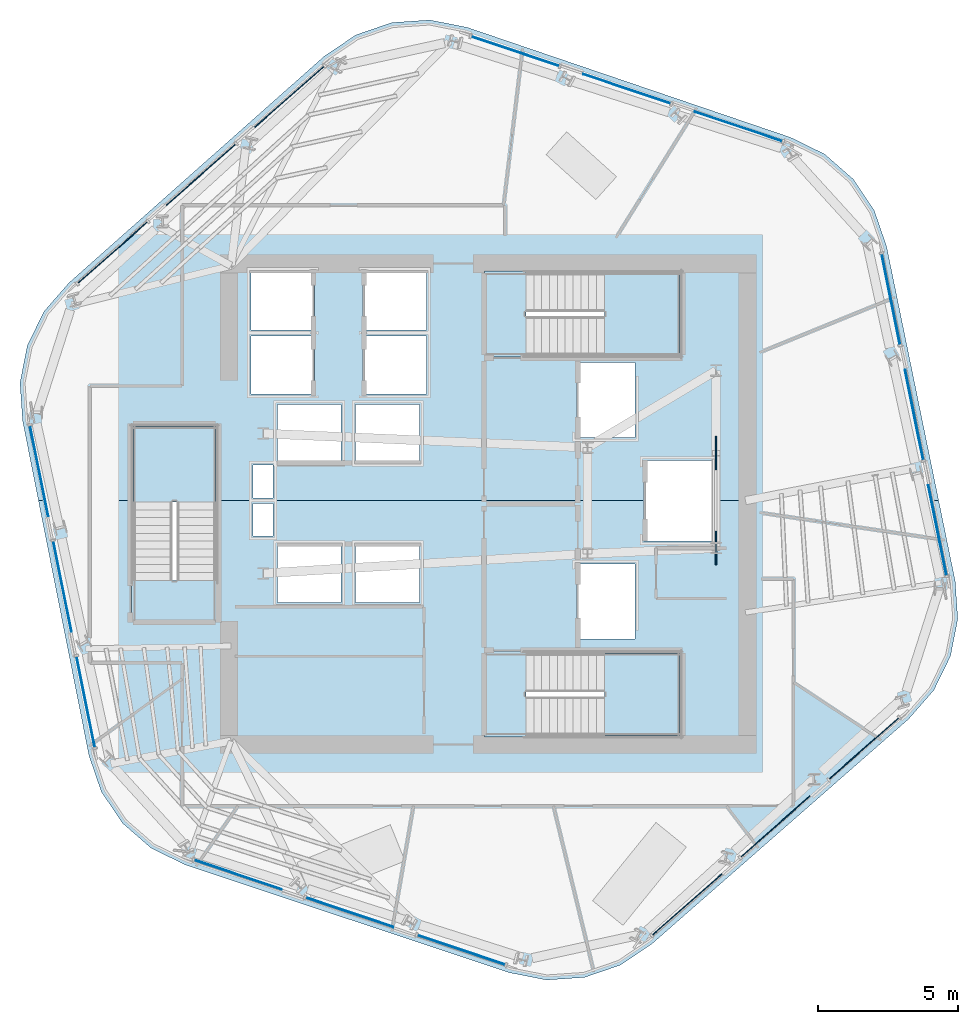
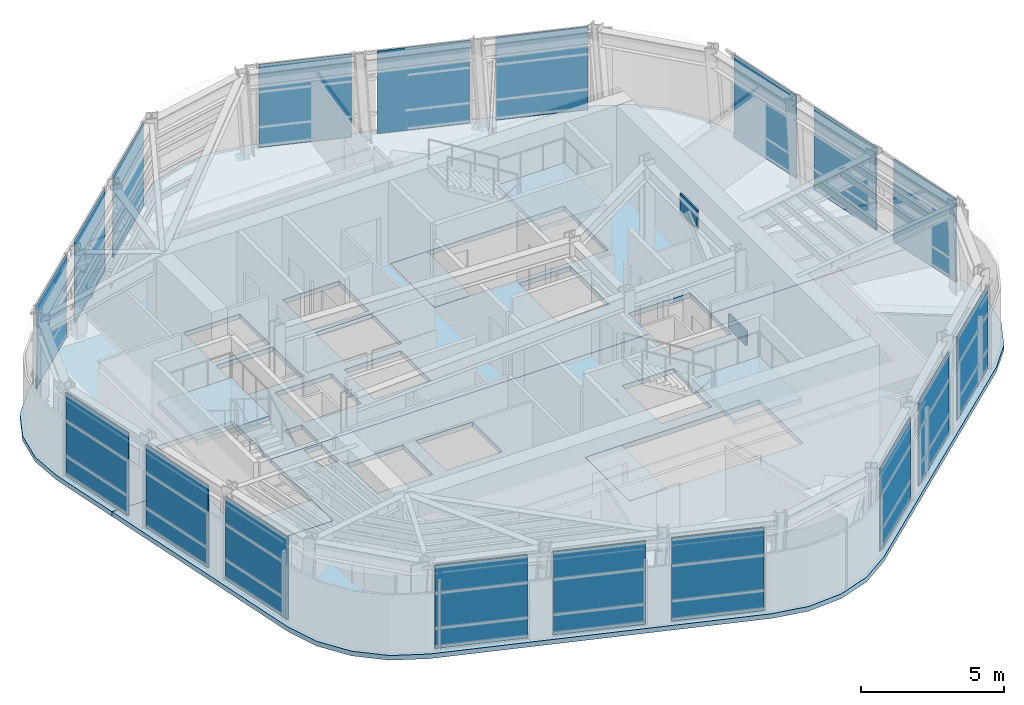
# One storey, part 6 of 15: 20 plates, 8 slabs, 9 elements without a shape of their own.
"""IFC4 building model written with IfcOpenShell, lengths in metres."""

from ifc_helpers import new_model, si_unit, direction, frame, origin, origin_2d, place, context, subcontext, project, spatial, polyline, rectangle, outline, extrude, material, layer, layer_set, type_object, element, aggregate, save


model = new_model("IFC4")

# Units and contexts
model_context = context("Model", 3, precision=1e-05, world=origin(), true_north=direction((0.0, 1.0)))
body_context = subcontext(model_context, "Body", "Model", "MODEL_VIEW")
ifc_project = project(units=[si_unit("LENGTHUNIT", "METRE"), si_unit("AREAUNIT", "SQUARE_METRE"), si_unit("VOLUMEUNIT", "CUBIC_METRE"), si_unit("PLANEANGLEUNIT", "RADIAN"), si_unit("MASSUNIT", "GRAM", prefix="KILO")], contexts=[model_context])

# Site, building, storey
site_placement = place(None, origin())
site = spatial("IfcSite", under=ifc_project, at=site_placement, CompositionType="ELEMENT")
building_placement = place(site_placement, origin())
building = spatial("IfcBuilding", under=site, at=building_placement, Name="Valkerne Bourse Tower", CompositionType="ELEMENT")
storey_placement = place(building_placement, frame((0.0, 0.0, 201.800048828125)))
storey = spatial("IfcBuildingStorey", under=building, at=storey_placement, Name="L51", CompositionType="ELEMENT", Elevation=201.800048828125)

# Curtain wall, plates
ifc_material_1 = material(Name="Aluminium AA 6063-T6", Category="aluminium")
ifc_layer_1 = layer(ifc_material_1, 0.239990234375)
ifc_layer_set_1 = layer_set([ifc_layer_1], Name="Aluminium AA 6063-T6")
curtain_wall_type = type_object("IfcCurtainWallType", Name="CW-04", PredefinedType="NOTDEFINED", material=ifc_layer_set_1)
curtain_wall_1_placement = place(storey_placement, origin())
curtain_wall_1 = element("IfcCurtainWall", 1, at=curtain_wall_1_placement, inside=storey, type_object=curtain_wall_type, Name="L51 Hexagonal Stick Curtain Wall Face 1", PredefinedType="NOTDEFINED")
ifc_material_2 = material(Name="Glass IGU Low-E Double Glazed", Category="glass")
ifc_layer_2 = layer(ifc_material_2, 0.031982421875)
ifc_layer_set_2 = layer_set([ifc_layer_2], Name="Glass IGU Low-E Double Glazed")
plate_type_1 = type_object("IfcPlateType", Name="CW-PNL-IGU-32", PredefinedType="CURTAIN_PANEL", material=ifc_layer_set_2)
plate_1_placement = place(storey_placement, frame((55.748291015625, 40.3837890625, 0.030029296875), z_axis=(0.0, 0.0, 1.0), x_axis=(-0.947765282769, 0.318968601555, 0.0)))
plate_1 = element("IfcPlate", 2, at=plate_1_placement, type_object=plate_type_1, Name="CW-L51-F1 Curtain Panel 00", PredefinedType="CURTAIN_PANEL", context=body_context, shape_type="SweptSolid", body=[
    extrude(rectangle(XDim=3.2919921875, YDim=0.031982421875, at=origin_2d()), origin(), (0.0, 0.0, 1.0), 3.5400390625),
])
plate_2_placement = place(storey_placement, frame((51.756103515625, 41.72705078125, 0.030029296875), z_axis=(0.0, 0.0, 1.0), x_axis=(-0.947772459851, 0.318947275184, 0.0)))
plate_2 = element("IfcPlate", 3, at=plate_2_placement, type_object=plate_type_1, Name="CW-L51-F1 Curtain Panel 01", PredefinedType="CURTAIN_PANEL", context=body_context, shape_type="SweptSolid", body=[
    extrude(rectangle(XDim=3.2919921875, YDim=0.031982421875, at=origin_2d()), origin(), (0.0, 0.0, 1.0), 3.5400390625),
])
plate_3_placement = place(storey_placement, frame((47.764404296875, 43.070556640625, 0.030029296875), z_axis=(0.0, 0.0, 1.0), x_axis=(-0.947765282769, 0.318968601555, 0.0)))
plate_3 = element("IfcPlate", 4, at=plate_3_placement, type_object=plate_type_1, Name="CW-L51-F1 Curtain Panel 02", PredefinedType="CURTAIN_PANEL", context=body_context, shape_type="SweptSolid", body=[
    extrude(rectangle(XDim=3.2919921875, YDim=0.031982421875, at=origin_2d()), origin(), (0.0, 0.0, 1.0), 3.5400390625),
])
aggregate(curtain_wall_1, [plate_1, plate_2, plate_3])

curtain_wall_2_placement = place(storey_placement, origin())
curtain_wall_2 = element("IfcCurtainWall", 5, at=curtain_wall_2_placement, inside=storey, type_object=curtain_wall_type, Name="L51 Hexagonal Stick Curtain Wall Face 2", PredefinedType="NOTDEFINED")
plate_4_placement = place(storey_placement, frame((39.68359375, 41.441162109375, 0.030029296875), z_axis=(0.0, 0.0, 1.0), x_axis=(-0.750119777976, -0.661301987513, 0.0)))
plate_4 = element("IfcPlate", 6, at=plate_4_placement, type_object=plate_type_1, Name="CW-L51-F2 Curtain Panel 00", PredefinedType="CURTAIN_PANEL", context=body_context, shape_type="SweptSolid", body=[
    extrude(rectangle(XDim=3.2919921875, YDim=0.031982421875, at=origin_2d()), origin(), (0.0, 0.0, 1.0), 3.5400390625),
])
plate_5_placement = place(storey_placement, frame((36.524169921875, 38.65576171875, 0.030029296875), z_axis=(0.0, 0.0, 1.0), x_axis=(-0.750097617551, -0.6613271234, 0.0)))
plate_5 = element("IfcPlate", 7, at=plate_5_placement, type_object=plate_type_1, Name="CW-L51-F2 Curtain Panel 01", PredefinedType="CURTAIN_PANEL", context=body_context, shape_type="SweptSolid", body=[
    extrude(rectangle(XDim=3.2919921875, YDim=0.031982421875, at=origin_2d()), origin(), (0.0, 0.0, 1.0), 3.5400390625),
])
plate_6_placement = place(storey_placement, frame((33.364501953125, 35.870361328125, 0.030029296875), z_axis=(0.0, 0.0, 1.0), x_axis=(-0.750119777976, -0.661301987513, 0.0)))
plate_6 = element("IfcPlate", 8, at=plate_6_placement, type_object=plate_type_1, Name="CW-L51-F2 Curtain Panel 02", PredefinedType="CURTAIN_PANEL", context=body_context, shape_type="SweptSolid", body=[
    extrude(rectangle(XDim=3.2919921875, YDim=0.031982421875, at=origin_2d()), origin(), (0.0, 0.0, 1.0), 3.5400390625),
])
aggregate(curtain_wall_2, [plate_4, plate_5, plate_6])

curtain_wall_3_placement = place(storey_placement, origin())
curtain_wall_3 = element("IfcCurtainWall", 9, at=curtain_wall_3_placement, inside=storey, type_object=curtain_wall_type, Name="L51 Hexagonal Stick Curtain Wall Face 3", PredefinedType="NOTDEFINED")
plate_7_placement = place(storey_placement, frame((30.7353515625, 28.0576171875, 0.030029296875), z_axis=(0.0, 0.0, 1.0), x_axis=(0.197649976729, -0.980272659365, 0.0)))
plate_7 = element("IfcPlate", 10, at=plate_7_placement, type_object=plate_type_1, Name="CW-L51-F3 Curtain Panel 00", PredefinedType="CURTAIN_PANEL", context=body_context, shape_type="SweptSolid", body=[
    extrude(rectangle(XDim=3.2919921875, YDim=0.031982421875, at=origin_2d()), origin(), (0.0, 0.0, 1.0), 3.5400390625),
])
plate_8_placement = place(storey_placement, frame((31.56787109375, 23.9287109375, 0.030029296875), z_axis=(0.0, 0.0, 1.0), x_axis=(0.197672790823, -0.980268059139, 0.0)))
plate_8 = element("IfcPlate", 11, at=plate_8_placement, type_object=plate_type_1, Name="CW-L51-F3 Curtain Panel 01", PredefinedType="CURTAIN_PANEL", context=body_context, shape_type="SweptSolid", body=[
    extrude(rectangle(XDim=3.2919921875, YDim=0.031982421875, at=origin_2d()), origin(), (0.0, 0.0, 1.0), 3.5400390625),
])
plate_9_placement = place(storey_placement, frame((32.400390625, 19.7998046875, 0.030029296875), z_axis=(0.0, 0.0, 1.0), x_axis=(0.197649976729, -0.980272659365, 0.0)))
plate_9 = element("IfcPlate", 12, at=plate_9_placement, type_object=plate_type_1, Name="CW-L51-F3 Curtain Panel 02", PredefinedType="CURTAIN_PANEL", context=body_context, shape_type="SweptSolid", body=[
    extrude(rectangle(XDim=3.2919921875, YDim=0.031982421875, at=origin_2d()), origin(), (0.0, 0.0, 1.0), 3.5400390625),
])
aggregate(curtain_wall_3, [plate_7, plate_8, plate_9])

curtain_wall_4_placement = place(storey_placement, origin())
curtain_wall_4 = element("IfcCurtainWall", 13, at=curtain_wall_4_placement, inside=storey, type_object=curtain_wall_type, Name="L51 Hexagonal Stick Curtain Wall Face 4", PredefinedType="NOTDEFINED")
plate_10_placement = place(storey_placement, frame((37.851806640625, 13.6162109375, 0.030029296875), z_axis=(0.0, 0.0, 1.0), x_axis=(0.947765282769, -0.318968601555, 0.0)))
plate_10 = element("IfcPlate", 14, at=plate_10_placement, type_object=plate_type_1, Name="CW-L51-F4 Curtain Panel 00", PredefinedType="CURTAIN_PANEL", context=body_context, shape_type="SweptSolid", body=[
    extrude(rectangle(XDim=3.2919921875, YDim=0.031982421875, at=origin_2d()), origin(), (0.0, 0.0, 1.0), 3.5400390625),
])
plate_11_placement = place(storey_placement, frame((41.84375, 12.27294921875, 0.030029296875), z_axis=(0.0, 0.0, 1.0), x_axis=(0.947772459851, -0.318947275184, 0.0)))
plate_11 = element("IfcPlate", 15, at=plate_11_placement, type_object=plate_type_1, Name="CW-L51-F4 Curtain Panel 01", PredefinedType="CURTAIN_PANEL", context=body_context, shape_type="SweptSolid", body=[
    extrude(rectangle(XDim=3.2919921875, YDim=0.031982421875, at=origin_2d()), origin(), (0.0, 0.0, 1.0), 3.5400390625),
])
plate_12_placement = place(storey_placement, frame((45.835693359375, 10.929443359375, 0.030029296875), z_axis=(0.0, 0.0, 1.0), x_axis=(0.947765282769, -0.318968601555, 0.0)))
plate_12 = element("IfcPlate", 16, at=plate_12_placement, type_object=plate_type_1, Name="CW-L51-F4 Curtain Panel 02", PredefinedType="CURTAIN_PANEL", context=body_context, shape_type="SweptSolid", body=[
    extrude(rectangle(XDim=3.2919921875, YDim=0.031982421875, at=origin_2d()), origin(), (0.0, 0.0, 1.0), 3.5400390625),
])
aggregate(curtain_wall_4, [plate_10, plate_11, plate_12])

curtain_wall_5_placement = place(storey_placement, origin())
curtain_wall_5 = element("IfcCurtainWall", 17, at=curtain_wall_5_placement, inside=storey, type_object=curtain_wall_type, Name="L51 Hexagonal Stick Curtain Wall Face 5", PredefinedType="NOTDEFINED")
plate_13_placement = place(storey_placement, frame((53.91650390625, 12.55859375, 0.030029296875), z_axis=(0.0, 0.0, 1.0), x_axis=(0.750119777976, 0.661301987513, 0.0)))
plate_13 = element("IfcPlate", 18, at=plate_13_placement, type_object=plate_type_1, Name="CW-L51-F5 Curtain Panel 00", PredefinedType="CURTAIN_PANEL", context=body_context, shape_type="SweptSolid", body=[
    extrude(rectangle(XDim=3.2919921875, YDim=0.031982421875, at=origin_2d()), origin(), (0.0, 0.0, 1.0), 3.5400390625),
])
plate_14_placement = place(storey_placement, frame((57.075927734375, 15.34423828125, 0.030029296875), z_axis=(0.0, 0.0, 1.0), x_axis=(0.750097617551, 0.6613271234, 0.0)))
plate_14 = element("IfcPlate", 19, at=plate_14_placement, type_object=plate_type_1, Name="CW-L51-F5 Curtain Panel 01", PredefinedType="CURTAIN_PANEL", context=body_context, shape_type="SweptSolid", body=[
    extrude(rectangle(XDim=3.2919921875, YDim=0.031982421875, at=origin_2d()), origin(), (0.0, 0.0, 1.0), 3.5400390625),
])
plate_15_placement = place(storey_placement, frame((60.2353515625, 18.129638671875, 0.030029296875), z_axis=(0.0, 0.0, 1.0), x_axis=(0.750119777976, 0.661301987513, 0.0)))
plate_15 = element("IfcPlate", 20, at=plate_15_placement, type_object=plate_type_1, Name="CW-L51-F5 Curtain Panel 02", PredefinedType="CURTAIN_PANEL", context=body_context, shape_type="SweptSolid", body=[
    extrude(rectangle(XDim=3.2919921875, YDim=0.031982421875, at=origin_2d()), origin(), (0.0, 0.0, 1.0), 3.5400390625),
])
aggregate(curtain_wall_5, [plate_13, plate_14, plate_15])

curtain_wall_6_placement = place(storey_placement, origin())
curtain_wall_6 = element("IfcCurtainWall", 21, at=curtain_wall_6_placement, inside=storey, type_object=curtain_wall_type, Name="L51 Hexagonal Stick Curtain Wall Face 6", PredefinedType="NOTDEFINED")
plate_16_placement = place(storey_placement, frame((62.86474609375, 25.9423828125, 0.030029296875), z_axis=(0.0, 0.0, 1.0), x_axis=(-0.197649976729, 0.980272659365, 0.0)))
plate_16 = element("IfcPlate", 22, at=plate_16_placement, type_object=plate_type_1, Name="CW-L51-F6 Curtain Panel 00", PredefinedType="CURTAIN_PANEL", context=body_context, shape_type="SweptSolid", body=[
    extrude(rectangle(XDim=3.2919921875, YDim=0.031982421875, at=origin_2d()), origin(), (0.0, 0.0, 1.0), 3.5400390625),
])
plate_17_placement = place(storey_placement, frame((62.0322265625, 30.0712890625, 0.030029296875), z_axis=(0.0, 0.0, 1.0), x_axis=(-0.197672790823, 0.980268059139, 0.0)))
plate_17 = element("IfcPlate", 23, at=plate_17_placement, type_object=plate_type_1, Name="CW-L51-F6 Curtain Panel 01", PredefinedType="CURTAIN_PANEL", context=body_context, shape_type="SweptSolid", body=[
    extrude(rectangle(XDim=3.2919921875, YDim=0.031982421875, at=origin_2d()), origin(), (0.0, 0.0, 1.0), 3.5400390625),
])
plate_18_placement = place(storey_placement, frame((61.19970703125, 34.2001953125, 0.030029296875), z_axis=(0.0, 0.0, 1.0), x_axis=(-0.197649976729, 0.980272659365, 0.0)))
plate_18 = element("IfcPlate", 24, at=plate_18_placement, type_object=plate_type_1, Name="CW-L51-F6 Curtain Panel 02", PredefinedType="CURTAIN_PANEL", context=body_context, shape_type="SweptSolid", body=[
    extrude(rectangle(XDim=3.2919921875, YDim=0.031982421875, at=origin_2d()), origin(), (0.0, 0.0, 1.0), 3.5400390625),
])
aggregate(curtain_wall_6, [plate_16, plate_17, plate_18])

# Plates
ifc_material_3 = material(Name="Steel ASTM A572 Grade 50", Category="steel")
ifc_layer_3 = layer(ifc_material_3, 0.06005859375)
ifc_layer_set_3 = layer_set([ifc_layer_3], Name="Steel ASTM A572 Grade 50")
plate_type_2 = type_object("IfcPlateType", Name="PLT-GUS-60", PredefinedType="SHEET", material=ifc_layer_set_3)
for number, where, z_axis, x_axis, name in (
    (25, (54.949951171875, 25.300048828125, -0.18017578125), (0.0, 0.0, 1.0), (0.0, 1.0, 0.0), "L51 Brace Node Gusset Plate PLT-GUS-END-L51-418"),
    (26, (54.949951171875, 28.699951171875, 2.89404296875), (0.0, 0.0, 1.0), (0.0, 1.0, 0.0), "L51 Brace Node Gusset Plate PLT-GUS-END-L51-419"),
):
    element("IfcPlate", number, at=place(storey_placement, frame(where, z_axis=z_axis, x_axis=x_axis)), inside=storey, type_object=plate_type_2, Name=name, PredefinedType="SHEET", context=body_context, shape_type="SweptSolid", body=[
        extrude(rectangle(XDim=1.199951171875, YDim=0.06005859375, at=origin_2d()), origin(), (0.0, 0.0, 1.0), 0.800048828125),
    ])

# Slabs
ifc_material_4 = material(Name="Concrete C40/50", Category="concrete")
ifc_layer_4 = layer(ifc_material_4, 0.25)
ifc_layer_set_4 = layer_set([ifc_layer_4], Name="Concrete C40/50")
slab_type_1 = type_object("IfcSlabType", Name="SLB-RMP-LND-250", PredefinedType="LANDING", material=ifc_layer_set_4)
slab_1_placement = place(storey_placement, frame((0.0, 0.0, -0.199951171875)))
element("IfcSlab", 27, at=slab_1_placement, inside=storey, type_object=slab_type_1, Name="L51 ST-1 Floor Landing Slab", PredefinedType="LANDING", context=body_context, shape_type="SweptSolid", body=[
    extrude(outline(polyline([(46.669921875, 18.5400390625), (48.14990234375, 18.5400390625), (48.14990234375, 21.610107421875), (46.669921875, 21.610107421875), (46.669921875, 18.5400390625)])), origin(), (0.0, 0.0, 1.0), 0.199951171875),
])
slab_2_placement = place(storey_placement, frame((0.0, 0.0, -0.199951171875)))
element("IfcSlab", 28, at=slab_2_placement, inside=storey, type_object=slab_type_1, Name="L51 ST-2 Floor Landing Slab", PredefinedType="LANDING", context=body_context, shape_type="SweptSolid", body=[
    extrude(outline(polyline([(46.669921875, 32.139892578125), (48.14990234375, 32.139892578125), (48.14990234375, 35.2099609375), (46.669921875, 35.2099609375), (46.669921875, 32.139892578125)])), origin(), (0.0, 0.0, 1.0), 0.199951171875),
])
slab_3_placement = place(storey_placement, frame((0.0, 0.0, -0.199951171875)))
element("IfcSlab", 29, at=slab_3_placement, inside=storey, type_object=slab_type_1, Name="L51 ST-3 Floor Landing Slab", PredefinedType="LANDING", context=body_context, shape_type="SweptSolid", body=[
    extrude(outline(polyline([(37.110107421875, 22.669921875), (37.110107421875, 24.14990234375), (34.0400390625, 24.14990234375), (34.0400390625, 22.669921875), (37.110107421875, 22.669921875)])), origin(), (0.0, 0.0, 1.0), 0.199951171875),
])

# Stair, slab
stair_type = type_object("IfcStairType", Name="ST-CORE-1400", PredefinedType="HALF_TURN_STAIR", material=ifc_material_4)
stair_1_placement = place(storey_placement, origin())
stair_1 = element("IfcStair", 30, at=stair_1_placement, inside=storey, type_object=stair_type, Name="L51 ST-1", PredefinedType="HALF_TURN_STAIR")
ifc_layer_5 = layer(ifc_material_4, 0.179931640625)
ifc_layer_set_5 = layer_set([ifc_layer_5], Name="Concrete C40/50")
slab_type_2 = type_object("IfcSlabType", Name="SLB-ST-LND-180", PredefinedType="LANDING", material=ifc_layer_set_5)
slab_4_placement = place(storey_placement, frame((0.0, 0.0, 1.699951171875)))
slab_4 = element("IfcSlab", 31, at=slab_4_placement, type_object=slab_type_2, Name="ST-1 landing 1", PredefinedType="LANDING", context=body_context, shape_type="SweptSolid", body=[
    extrude(outline(polyline([(50.949951171875, 18.60009765625), (53.64990234375, 18.60009765625), (53.64990234375, 21.550048828125), (50.949951171875, 21.550048828125), (50.949951171875, 18.60009765625)])), origin(), (0.0, 0.0, 1.0), 0.199951171875),
])
aggregate(stair_1, [slab_4])

stair_2_placement = place(storey_placement, origin())
stair_2 = element("IfcStair", 32, at=stair_2_placement, inside=storey, type_object=stair_type, Name="L51 ST-2", PredefinedType="HALF_TURN_STAIR")
slab_5_placement = place(storey_placement, frame((0.0, 0.0, 1.699951171875)))
slab_5 = element("IfcSlab", 33, at=slab_5_placement, type_object=slab_type_2, Name="ST-2 landing 1", PredefinedType="LANDING", context=body_context, shape_type="SweptSolid", body=[
    extrude(outline(polyline([(50.949951171875, 32.199951171875), (53.64990234375, 32.199951171875), (53.64990234375, 35.14990234375), (50.949951171875, 35.14990234375), (50.949951171875, 32.199951171875)])), origin(), (0.0, 0.0, 1.0), 0.199951171875),
])
aggregate(stair_2, [slab_5])

stair_3_placement = place(storey_placement, origin())
stair_3 = element("IfcStair", 34, at=stair_3_placement, inside=storey, type_object=stair_type, Name="L51 ST-3", PredefinedType="HALF_TURN_STAIR")
slab_6_placement = place(storey_placement, frame((0.0, 0.0, 1.699951171875)))
slab_6 = element("IfcSlab", 35, at=slab_6_placement, type_object=slab_type_2, Name="ST-3 landing 1", PredefinedType="LANDING", context=body_context, shape_type="SweptSolid", body=[
    extrude(outline(polyline([(37.050048828125, 26.949951171875), (37.050048828125, 29.64990234375), (34.10009765625, 29.64990234375), (34.10009765625, 26.949951171875), (37.050048828125, 26.949951171875)])), origin(), (0.0, 0.0, 1.0), 0.199951171875),
])
aggregate(stair_3, [slab_6])

# Slabs
ifc_layer_6 = layer(ifc_material_4, 0.199951171875)
ifc_layer_set_6 = layer_set([ifc_layer_6], Name="Concrete C40/50")
slab_type_3 = type_object("IfcSlabType", Name="SLB-TOW-200", PredefinedType="FLOOR", material=ifc_layer_set_6)
slab_7_placement = place(storey_placement, frame((0.0, 0.0, -0.199951171875)))
element("IfcSlab", 36, at=slab_7_placement, inside=storey, type_object=slab_type_3, Name="L51 Hexagonal Composite Floor Slab S", PredefinedType="FLOOR", context=body_context, shape_type="SweptSolid", body=[
    extrude(outline(polyline([(63.592529296875, 22.768798828125), (63.331298828125, 21.4365234375), (62.73388671875, 20.217529296875), (61.841552734375, 19.194580078125), (52.6494140625, 11.14453125), (51.522705078125, 10.38720703125), (50.23828125, 9.947509765625), (48.884033203125, 9.855224609375), (47.552001953125, 10.11669921875), (35.95849609375, 13.9755859375), (34.7392578125, 14.572998046875), (33.71630859375, 15.465087890625), (32.959228515625, 16.591796875), (32.51953125, 17.876220703125), (30.711181640625, 27.0), (34.034912109375, 27.0), (34.034912109375, 22.6650390625), (37.114990234375, 22.6650390625), (37.114990234375, 27.0), (52.360107421875, 27.0), (52.360107421875, 25.56005859375), (54.840087890625, 25.56005859375), (54.840087890625, 27.0), (62.91015625, 27.0), (63.500244140625, 24.123046875), (63.592529296875, 22.768798828125)]), holes=[polyline([(41.5400390625, 25.43994140625), (39.260009765625, 25.43994140625), (39.260009765625, 23.360107421875), (41.5400390625, 23.360107421875), (41.5400390625, 25.43994140625)]), polyline([(44.340087890625, 25.43994140625), (42.06005859375, 25.43994140625), (42.06005859375, 23.360107421875), (44.340087890625, 23.360107421875), (44.340087890625, 25.43994140625)]), polyline([(39.10009765625, 26.89990234375), (38.3798828125, 26.89990234375), (38.3798828125, 25.72998046875), (39.10009765625, 25.72998046875), (39.10009765625, 26.89990234375)]), polyline([(53.675048828125, 21.614990234375), (46.6650390625, 21.614990234375), (46.6650390625, 18.534912109375), (53.675048828125, 18.534912109375), (53.675048828125, 21.614990234375)]), polyline([(52.0400390625, 24.739990234375), (49.9599609375, 24.739990234375), (49.9599609375, 22.06005859375), (52.0400390625, 22.06005859375), (52.0400390625, 24.739990234375)])]), origin(), (0.0, 0.0, 1.0), 0.199951171875),
])
slab_8_placement = place(storey_placement, frame((0.0, 0.0, -0.199951171875)))
element("IfcSlab", 37, at=slab_8_placement, inside=storey, type_object=slab_type_3, Name="L51 Hexagonal Composite Floor Slab N", PredefinedType="FLOOR", context=body_context, shape_type="SweptSolid", body=[
    extrude(outline(polyline([(30.14404296875, 29.862060546875), (30.0517578125, 31.21630859375), (30.31298828125, 32.548583984375), (30.91015625, 33.767578125), (31.802490234375, 34.79052734375), (40.94140625, 42.9013671875), (42.068115234375, 43.658447265625), (43.352294921875, 44.09814453125), (44.706787109375, 44.1904296875), (46.038818359375, 43.92919921875), (57.606689453125, 39.993408203125), (58.82568359375, 39.396240234375), (59.8486328125, 38.50390625), (60.605712890625, 37.377197265625), (61.04541015625, 36.093017578125), (62.91015625, 27.0), (54.840087890625, 27.0), (54.840087890625, 28.43994140625), (52.360107421875, 28.43994140625), (52.360107421875, 27.0), (37.114990234375, 27.0), (37.114990234375, 29.675048828125), (34.034912109375, 29.675048828125), (34.034912109375, 27.0), (30.711181640625, 27.0), (30.14404296875, 29.862060546875)]), holes=[polyline([(39.10009765625, 28.27001953125), (38.3798828125, 28.27001953125), (38.3798828125, 27.10009765625), (39.10009765625, 27.10009765625), (39.10009765625, 28.27001953125)]), polyline([(41.5400390625, 30.43994140625), (39.260009765625, 30.43994140625), (39.260009765625, 28.360107421875), (41.5400390625, 28.360107421875), (41.5400390625, 30.43994140625)]), polyline([(40.590087890625, 32.889892578125), (38.31005859375, 32.889892578125), (38.31005859375, 30.81005859375), (40.590087890625, 30.81005859375), (40.590087890625, 32.889892578125)]), polyline([(40.590087890625, 35.18994140625), (38.31005859375, 35.18994140625), (38.31005859375, 33.110107421875), (40.590087890625, 33.110107421875), (40.590087890625, 35.18994140625)]), polyline([(44.340087890625, 30.43994140625), (42.06005859375, 30.43994140625), (42.06005859375, 28.360107421875), (44.340087890625, 28.360107421875), (44.340087890625, 30.43994140625)]), polyline([(52.0400390625, 31.93994140625), (49.9599609375, 31.93994140625), (49.9599609375, 29.260009765625), (52.0400390625, 29.260009765625), (52.0400390625, 31.93994140625)]), polyline([(44.590087890625, 32.889892578125), (42.31005859375, 32.889892578125), (42.31005859375, 30.81005859375), (44.590087890625, 30.81005859375), (44.590087890625, 32.889892578125)]), polyline([(53.675048828125, 35.215087890625), (46.6650390625, 35.215087890625), (46.6650390625, 32.135009765625), (53.675048828125, 32.135009765625), (53.675048828125, 35.215087890625)]), polyline([(44.590087890625, 35.18994140625), (42.31005859375, 35.18994140625), (42.31005859375, 33.110107421875), (44.590087890625, 33.110107421875), (44.590087890625, 35.18994140625)])]), origin(), (0.0, 0.0, 1.0), 0.199951171875),
])

save(model, "model.ifc")
